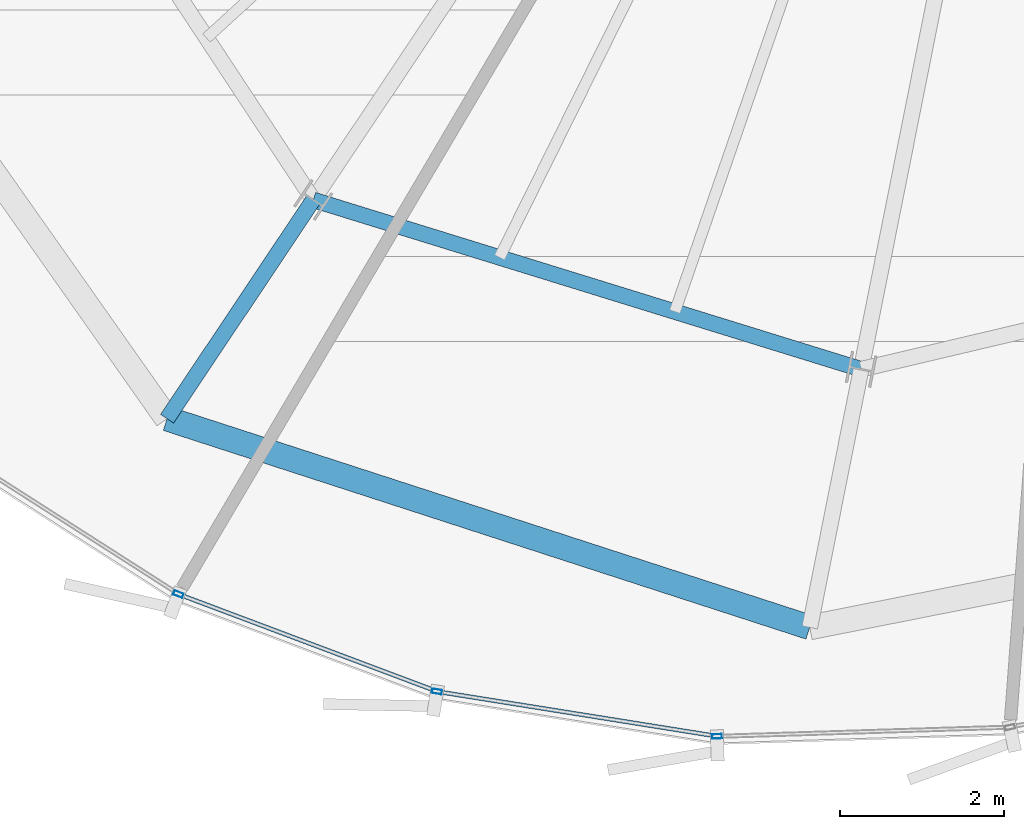
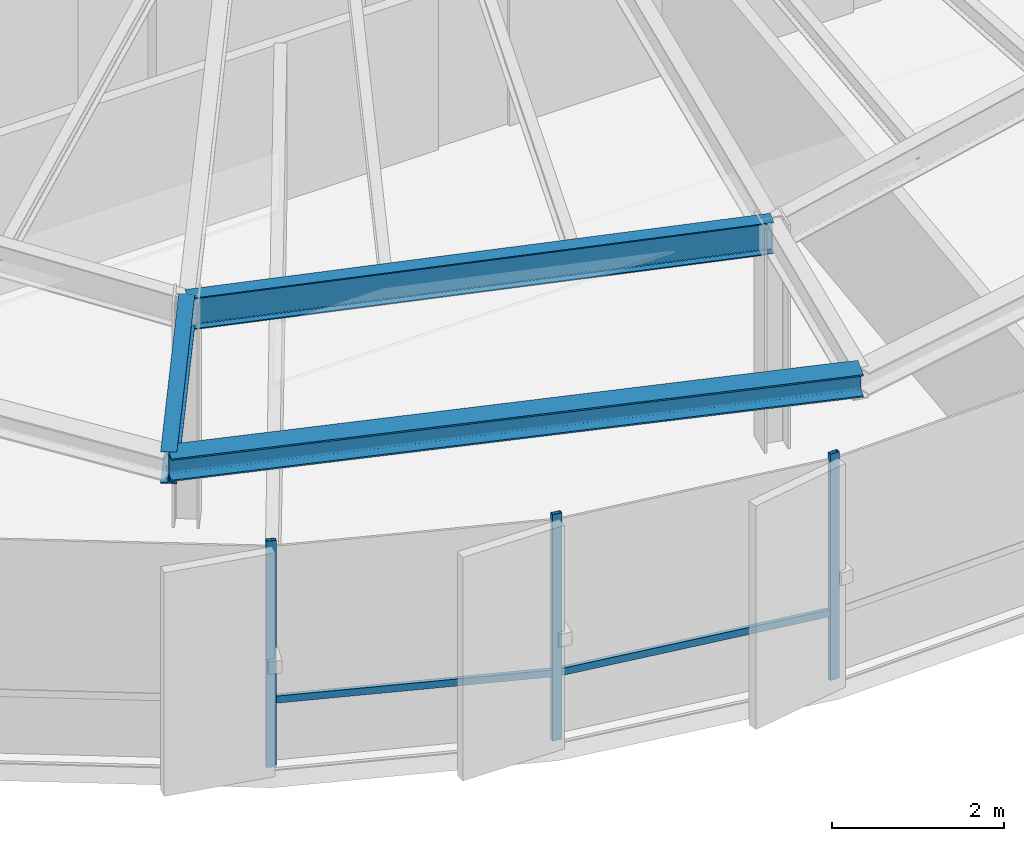
# One storey, part 3 of 36: 5 members, 3 beams, 1 element without a shape of its own.
"""IFC4 building model written with IfcOpenShell, lengths in metres."""

from ifc_helpers import new_model, si_unit, direction, frame, origin, origin_2d, place, context, subcontext, project, spatial, hollow_rectangle, i_section, extrude, source, transform, mapped, material, layer, layer_set, material_profile, profile_set, type_object, element, aggregate, save


model = new_model("IFC4")

# Units and contexts
model_context = context("Model", 3, precision=1e-05, world=origin(), true_north=direction((0.0, 1.0)))
body_context = subcontext(model_context, "Body", "Model", "MODEL_VIEW")
ifc_project = project(units=[si_unit("LENGTHUNIT", "METRE"), si_unit("AREAUNIT", "SQUARE_METRE"), si_unit("VOLUMEUNIT", "CUBIC_METRE"), si_unit("PLANEANGLEUNIT", "RADIAN"), si_unit("MASSUNIT", "GRAM", prefix="KILO"), si_unit("THERMODYNAMICTEMPERATUREUNIT", "KELVIN")], contexts=[model_context])

# Site, building, storey
site_placement = place(None, origin())
site = spatial("IfcSite", under=ifc_project, at=site_placement, CompositionType="ELEMENT")
building_placement = place(site_placement, origin())
building = spatial("IfcBuilding", under=site, at=building_placement, Name="Kethvar Cultural Tower", CompositionType="ELEMENT")
storey_placement = place(building_placement, frame((0.0, 0.0, 242.199951171875)))
storey = spatial("IfcBuildingStorey", under=building, at=storey_placement, Name="L63", CompositionType="ELEMENT", Elevation=242.199951171875)

# Beams
ifc_material_1 = material(Name="Steel S355J2", Category="steel")
ifc_material_profile_1 = material_profile(ifc_material_1, i_section(OverallWidth=0.18994140625, OverallDepth=0.449951171875, WebThickness=0.009521484375, FlangeThickness=0.0146484375, FilletRadius=0.02099609375, at=origin_2d()), Name="Steel S355J2 — IPE450")
ifc_profile_set_1 = profile_set([ifc_material_profile_1], Name="Steel S355J2 — IPE450")
beam_type_1 = type_object("IfcBeamType", Name="BM-IPE450", PredefinedType="BEAM", material=ifc_profile_set_1)
shared_shape_1 = source(origin(), body_context, "Body", "SweptSolid", [
    extrude(i_section(OverallWidth=0.18994140625, OverallDepth=0.449951171875, WebThickness=0.009521484375, FlangeThickness=0.0146484375, FilletRadius=0.02099609375, at=origin_2d()), origin(), (0.0, 0.0, 1.0), 3.199951171875),
])
beam_1_placement = place(storey_placement, frame((36.731201171875, 12.73095703125, 2.983154296875), z_axis=(-0.555580212716, -0.831462943996, 0.0), x_axis=(0.831462943996, -0.555580212716, 0.0)))
element("IfcBeam", 1, at=beam_1_placement, inside=storey, type_object=beam_type_1, Name="L63 Perimeter Cantilever Beam RC-11", PredefinedType="BEAM", context=body_context, shape_type="MappedRepresentation", body=[
    mapped(shared_shape_1, transform((0.0, 0.0, 0.0), scale=1.0)),
])
shared_shape_2 = source(origin(), body_context, "Body", "SweptSolid", [
    extrude(i_section(OverallWidth=0.18994140625, OverallDepth=0.449951171875, WebThickness=0.009521484375, FlangeThickness=0.0146484375, FilletRadius=0.02099609375, at=origin_2d()), origin(), (0.0, 0.0, 1.0), 6.97265625),
])
beam_2_placement = place(storey_placement, frame((36.731201171875, 12.73095703125, 2.983154296875), z_axis=(0.955381444404, -0.295374839295, 0.0), x_axis=(0.295374839295, 0.955381444404, 0.0)))
element("IfcBeam", 2, at=beam_2_placement, inside=storey, type_object=beam_type_1, Name="L63 Column Ring Tie Beam CR-11", PredefinedType="BEAM", context=body_context, shape_type="MappedRepresentation", body=[
    mapped(shared_shape_2, transform((0.0, 0.0, 0.0), scale=1.0)),
])
ifc_material_profile_2 = material_profile(ifc_material_1, i_section(OverallWidth=0.300048828125, OverallDepth=0.320068359375, WebThickness=0.011474609375, FlangeThickness=0.0205078125, FilletRadius=0.027099609375, at=origin_2d()), Name="Steel S355J2 — HEB320")
ifc_profile_set_2 = profile_set([ifc_material_profile_2], Name="Steel S355J2 — HEB320")
beam_type_2 = type_object("IfcBeamType", Name="BM-SP320", PredefinedType="SPANDREL", material=ifc_profile_set_2)
shared_shape_3 = source(origin(), body_context, "Body", "SweptSolid", [
    extrude(i_section(OverallWidth=0.300048828125, OverallDepth=0.320068359375, WebThickness=0.011474609375, FlangeThickness=0.0205078125, FilletRadius=0.027099609375, at=origin_2d()), origin(), (0.0, 0.0, 1.0), 8.216796875),
])
beam_3_placement = place(storey_placement, frame((34.953369140625, 10.0703125, 3.048095703125), z_axis=(0.951117661456, -0.30882874553, 0.0), x_axis=(0.30882874553, 0.951117661456, 0.0)))
element("IfcBeam", 3, at=beam_3_placement, inside=storey, type_object=beam_type_2, Name="L63 Perimeter Spandrel Beam SP-11", PredefinedType="SPANDREL", context=body_context, shape_type="MappedRepresentation", body=[
    mapped(shared_shape_3, transform((0.0, 0.0, 0.0), scale=1.0)),
])

# Curtain wall, members
ifc_material_2 = material(Name="Aluminium 6063-T6", Category="aluminium")
ifc_layer = layer(ifc_material_2, 0.179931640625, Name="Aluminium 6063-T6", Category="aluminium")
ifc_layer_set = layer_set([ifc_layer], Name="Aluminium 6063-T6 (180 mm)")
curtain_wall_type = type_object("IfcCurtainWallType", Name="CW-SYS-05-Z56", PredefinedType="NOTDEFINED", material=ifc_layer_set)
curtain_wall_placement = place(storey_placement, origin())
curtain_wall = element("IfcCurtainWall", 4, at=curtain_wall_placement, inside=storey, type_object=curtain_wall_type, Name="L63 Curtain Wall Run 04", PredefinedType="NOTDEFINED")
ifc_material_profile_3 = material_profile(ifc_material_2, hollow_rectangle(XDim=0.054931640625, YDim=0.1201171875, WallThickness=0.00390625, at=origin_2d()), Name="Aluminium 6063-T6 — RHS120x55x4")
ifc_profile_set_3 = profile_set([ifc_material_profile_3], Name="Aluminium 6063-T6 — RHS120x55x4")
member_type_1 = type_object("IfcMemberType", Name="CW-SYS-05-Z56-MUL", PredefinedType="MULLION", material=ifc_profile_set_3)
shared_shape_4 = source(origin(), body_context, "Body", "SweptSolid", [
    extrude(hollow_rectangle(XDim=0.054931640625, YDim=0.1201171875, WallThickness=0.00390625, at=origin_2d()), origin(), (0.0, 0.0, 1.0), 3.2099609375),
])
member_1_placement = place(storey_placement, frame((35.09130859375, 7.936767578125, 0.0), z_axis=(0.0, 0.0, 1.0), x_axis=(0.351808973549, 0.936071816759, 0.0)))
member_1 = element("IfcMember", 5, at=member_1_placement, type_object=member_type_1, Name="CW-L63-R04 Mullion 2", PredefinedType="MULLION", context=body_context, shape_type="MappedRepresentation", body=[
    mapped(shared_shape_4, transform((0.0, 0.0, 0.0), scale=1.0)),
])
member_2_placement = place(storey_placement, frame((38.2353515625, 6.7529296875, 0.0), z_axis=(0.0, 0.0, 1.0), x_axis=(0.157623801849, 0.98749923397, 0.0)))
member_2 = element("IfcMember", 6, at=member_2_placement, type_object=member_type_1, Name="CW-L63-R04 Mullion 3", PredefinedType="MULLION", context=body_context, shape_type="MappedRepresentation", body=[
    mapped(shared_shape_4, transform((0.0, 0.0, 0.0), scale=1.0)),
])
member_3_placement = place(storey_placement, frame((41.640380859375, 6.207763671875, 0.0), z_axis=(0.0, 0.0, 1.0), x_axis=(-0.031463093076, 0.999504914332, 0.0)))
member_3 = element("IfcMember", 7, at=member_3_placement, type_object=member_type_1, Name="CW-L63-R04 Mullion 4", PredefinedType="MULLION", context=body_context, shape_type="MappedRepresentation", body=[
    mapped(shared_shape_4, transform((0.0, 0.0, 0.0), scale=1.0)),
])
ifc_material_profile_4 = material_profile(ifc_material_2, hollow_rectangle(XDim=0.050048828125, YDim=0.10009765625, WallThickness=0.00390625, at=origin_2d()), Name="Aluminium 6063-T6 — RHS100x50x4")
ifc_profile_set_4 = profile_set([ifc_material_profile_4], Name="Aluminium 6063-T6 — RHS100x50x4")
member_type_2 = type_object("IfcMemberType", Name="CW-SYS-05-Z56-TRN", PredefinedType="USERDEFINED", material=ifc_profile_set_4)
shared_shape_5 = source(origin(), body_context, "Body", "SweptSolid", [
    extrude(hollow_rectangle(XDim=0.050048828125, YDim=0.10009765625, WallThickness=0.00390625, at=origin_2d()), origin(), (0.0, 0.0, 1.0), 3.300048828125),
])
member_4_placement = place(storey_placement, frame((35.12841796875, 7.9228515625, 0.949951171875), z_axis=(0.936058318237, -0.3518448875, 0.0), x_axis=(0.3518448875, 0.936058318237, 0.0)))
member_4 = element("IfcMember", 8, at=member_4_placement, type_object=member_type_2, Name="CW-L63-R04 Transom 2", ObjectType="TRANSOM", PredefinedType="USERDEFINED", context=body_context, shape_type="MappedRepresentation", body=[
    mapped(shared_shape_5, transform((0.0, 0.0, 0.0), scale=1.0)),
])
shared_shape_6 = source(origin(), body_context, "Body", "SweptSolid", [
    extrude(hollow_rectangle(XDim=0.050048828125, YDim=0.10009765625, WallThickness=0.00390625, at=origin_2d()), origin(), (0.0, 0.0, 1.0), 3.387939453125),
])
member_5_placement = place(storey_placement, frame((38.2744140625, 6.74658203125, 0.949951171875), z_axis=(0.987503955806, -0.157594217115, 0.0), x_axis=(0.157594217115, 0.987503955806, 0.0)))
member_5 = element("IfcMember", 9, at=member_5_placement, type_object=member_type_2, Name="CW-L63-R04 Transom 3", ObjectType="TRANSOM", PredefinedType="USERDEFINED", context=body_context, shape_type="MappedRepresentation", body=[
    mapped(shared_shape_6, transform((0.0, 0.0, 0.0), scale=1.0)),
])
aggregate(curtain_wall, [member_1, member_2, member_3, member_4, member_5])

save(model, "model.ifc")
